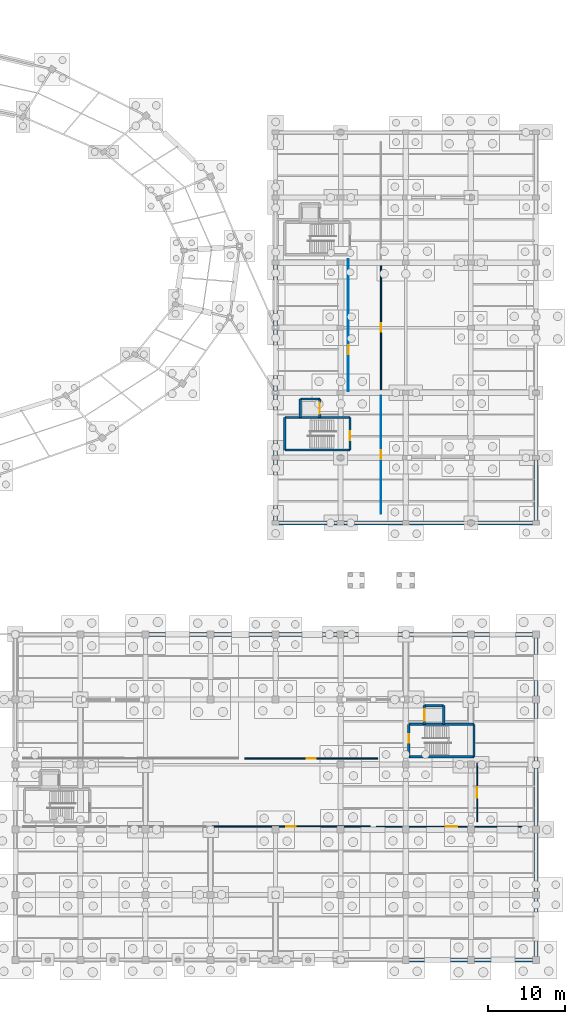
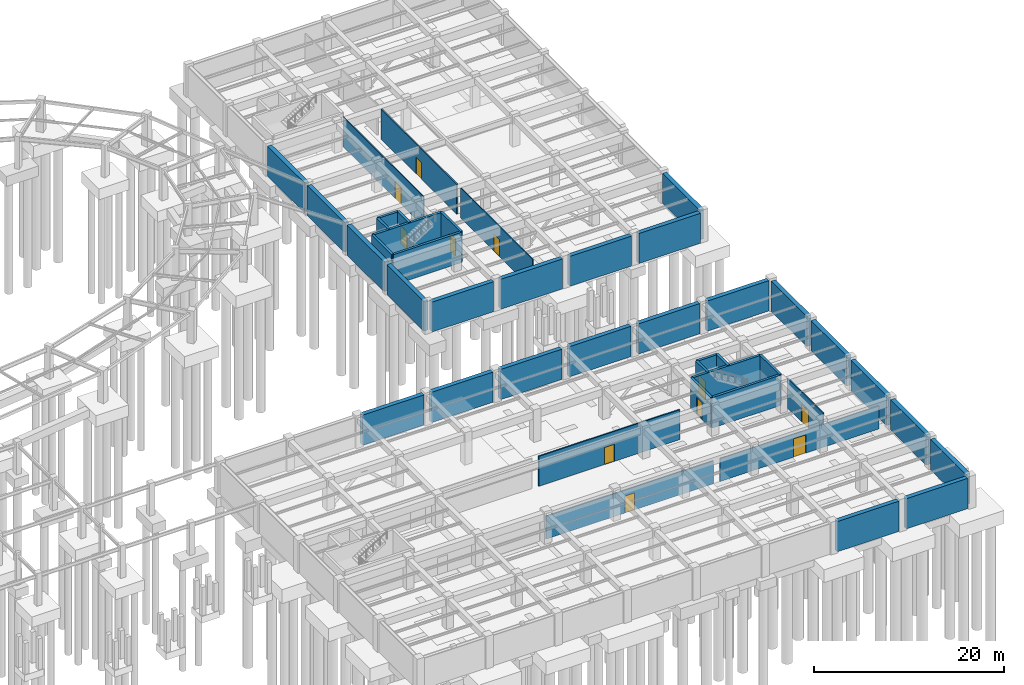
# One storey, part 29 of 38: 43 walls, 11 doors, 11 openings.
"""IFC4 building model written with IfcOpenShell, lengths in metres."""

from ifc_helpers import new_model, si_unit, direction, frame, frame_2d, origin, place, context, subcontext, project, spatial, rectangle, extrude, material, layer, layer_set, type_object, element, fill, save


model = new_model("IFC4")

# Units and contexts
model_context = context("Model", 3, precision=1e-05, world=origin(), true_north=direction((0.0, 1.0)))
body_context = subcontext(model_context, "Body", "Model", "MODEL_VIEW")
ifc_project = project(units=[si_unit("LENGTHUNIT", "METRE"), si_unit("AREAUNIT", "SQUARE_METRE"), si_unit("VOLUMEUNIT", "CUBIC_METRE"), si_unit("PLANEANGLEUNIT", "RADIAN"), si_unit("MASSUNIT", "GRAM", prefix="KILO"), si_unit("THERMODYNAMICTEMPERATUREUNIT", "KELVIN"), si_unit("POWERUNIT", "WATT")], contexts=[model_context])

# Site, building, storey
site_placement = place(None, origin())
site = spatial("IfcSite", under=ifc_project, at=site_placement, CompositionType="ELEMENT")
building_placement = place(site_placement, origin())
building = spatial("IfcBuilding", under=site, at=building_placement, Name="Darbajah Civic Hall", CompositionType="ELEMENT")
storey_placement = place(building_placement, frame((0.0, 0.0, -4.199951171875)))
storey = spatial("IfcBuildingStorey", under=building, at=storey_placement, Name="B01", CompositionType="ELEMENT", Elevation=-4.199951171875)

# Walls
ifc_material_1 = material(Name="Concrete C45/55", Category="concrete")
ifc_layer_1 = layer(ifc_material_1, 0.52001953125, Name="Concrete C45/55")
ifc_layer_set_1 = layer_set([ifc_layer_1], Name="Concrete C45/55")
wall_type_1 = type_object("IfcWallType", Name="Basement Perimeter Wall 520mm", PredefinedType="SOLIDWALL", material=ifc_layer_set_1)
wall_1_placement = place(storey_placement, frame((161.85205078125, 0.0, 0.0), z_axis=(0.0, 0.0, 1.0), x_axis=(1.0, 0.0, 0.0)))
element("IfcWall", 1, at=wall_1_placement, inside=storey, type_object=wall_type_1, Name="B01 exterior wall RW-520", PredefinedType="SOLIDWALL", context=body_context, shape_type="SweptSolid", body=[
    extrude(rectangle(XDim=7.495849609375, YDim=0.52001953125, at=frame_2d((3.748046875, 0.0))), origin(), (0.0, 0.0, 1.0), 3.89990234375),
])
for number, where, z_axis, x_axis, name in (
    (2, (170.251953125, 0.0, 0.0), (0.0, 0.0, 1.0), (1.0, 0.0, 0.0), "B01 exterior wall RW-520"),
    (3, (178.199951171875, 0.451904296875, 0.0), (0.0, 0.0, 1.0), (0.0, 1.0, 0.0), "B01 exterior wall RW-520"),
):
    element("IfcWall", number, at=place(storey_placement, frame(where, z_axis=z_axis, x_axis=x_axis)), inside=storey, type_object=wall_type_1, Name=name, PredefinedType="SOLIDWALL", context=body_context, shape_type="SweptSolid", body=[
        extrude(rectangle(XDim=7.49609375, YDim=0.52001953125, at=frame_2d((3.748046875, 0.0))), origin(), (0.0, 0.0, 1.0), 3.89990234375),
    ])
wall_2_placement = place(storey_placement, frame((178.199951171875, 8.85205078125, 0.0), z_axis=(0.0, 0.0, 1.0), x_axis=(0.0, 1.0, 0.0)))
element("IfcWall", 4, at=wall_2_placement, inside=storey, type_object=wall_type_1, Name="B01 exterior wall RW-520", PredefinedType="SOLIDWALL", context=body_context, shape_type="SweptSolid", body=[
    extrude(rectangle(XDim=7.495849609375, YDim=0.52001953125, at=frame_2d((3.748046875, 0.0))), origin(), (0.0, 0.0, 1.0), 3.89990234375),
])
wall_3_placement = place(storey_placement, frame((178.199951171875, 17.251953125, 0.0), z_axis=(0.0, 0.0, 1.0), x_axis=(0.0, 1.0, 0.0)))
element("IfcWall", 5, at=wall_3_placement, inside=storey, type_object=wall_type_1, Name="B01 exterior wall RW-520", PredefinedType="SOLIDWALL", context=body_context, shape_type="SweptSolid", body=[
    extrude(rectangle(XDim=7.49609375, YDim=0.52001953125, at=frame_2d((3.748046875, 0.0))), origin(), (0.0, 0.0, 1.0), 3.89990234375),
])
wall_4_placement = place(storey_placement, frame((178.199951171875, 25.652099609375, 0.0), z_axis=(0.0, 0.0, 1.0), x_axis=(0.0, 1.0, 0.0)))
element("IfcWall", 6, at=wall_4_placement, inside=storey, type_object=wall_type_1, Name="B01 exterior wall RW-520", PredefinedType="SOLIDWALL", context=body_context, shape_type="SweptSolid", body=[
    extrude(rectangle(XDim=7.495849609375, YDim=0.52001953125, at=frame_2d((3.748046875, 0.0))), origin(), (0.0, 0.0, 1.0), 3.89990234375),
])
for number, where, z_axis, x_axis, name in (
    (7, (178.199951171875, 34.052001953125, 0.0), (0.0, 0.0, 1.0), (0.0, 1.0, 0.0), "B01 exterior wall RW-520"),
    (8, (177.748046875, 42.0, 0.0), (0.0, 0.0, 1.0), (-1.0, 0.0, 0.0), "B01 exterior wall RW-520"),
):
    element("IfcWall", number, at=place(storey_placement, frame(where, z_axis=z_axis, x_axis=x_axis)), inside=storey, type_object=wall_type_1, Name=name, PredefinedType="SOLIDWALL", context=body_context, shape_type="SweptSolid", body=[
        extrude(rectangle(XDim=7.49609375, YDim=0.52001953125, at=frame_2d((3.748046875, 0.0))), origin(), (0.0, 0.0, 1.0), 3.89990234375),
    ])
wall_5_placement = place(storey_placement, frame((169.347900390625, 42.0, 0.0), z_axis=(0.0, 0.0, 1.0), x_axis=(-1.0, 0.0, 0.0)))
element("IfcWall", 9, at=wall_5_placement, inside=storey, type_object=wall_type_1, Name="B01 exterior wall RW-520", PredefinedType="SOLIDWALL", context=body_context, shape_type="SweptSolid", body=[
    extrude(rectangle(XDim=7.495849609375, YDim=0.52001953125, at=frame_2d((3.748046875, 0.0))), origin(), (0.0, 0.0, 1.0), 3.89990234375),
])
for number, where, z_axis, x_axis, name in (
    (10, (160.947998046875, 42.0, 0.0), (0.0, 0.0, 1.0), (-1.0, 0.0, 0.0), "B01 exterior wall RW-520"),
    (11, (152.548095703125, 42.0, 0.0), (0.0, 0.0, 1.0), (-1.0, 0.0, 0.0), "B01 exterior wall RW-520"),
):
    element("IfcWall", number, at=place(storey_placement, frame(where, z_axis=z_axis, x_axis=x_axis)), inside=storey, type_object=wall_type_1, Name=name, PredefinedType="SOLIDWALL", context=body_context, shape_type="SweptSolid", body=[
        extrude(rectangle(XDim=7.49609375, YDim=0.52001953125, at=frame_2d((3.748046875, 0.0))), origin(), (0.0, 0.0, 1.0), 3.89990234375),
    ])
wall_6_placement = place(storey_placement, frame((144.14794921875, 42.0, 0.0), z_axis=(0.0, 0.0, 1.0), x_axis=(-1.0, 0.0, 0.0)))
element("IfcWall", 12, at=wall_6_placement, inside=storey, type_object=wall_type_1, Name="B01 exterior wall RW-520", PredefinedType="SOLIDWALL", context=body_context, shape_type="SweptSolid", body=[
    extrude(rectangle(XDim=7.495849609375, YDim=0.52001953125, at=frame_2d((3.748046875, 0.0))), origin(), (0.0, 0.0, 1.0), 3.89990234375),
])
wall_7_placement = place(storey_placement, frame((135.748046875, 42.0, 0.0), z_axis=(0.0, 0.0, 1.0), x_axis=(-1.0, 0.0, 0.0)))
element("IfcWall", 13, at=wall_7_placement, inside=storey, type_object=wall_type_1, Name="B01 exterior wall RW-520", PredefinedType="SOLIDWALL", context=body_context, shape_type="SweptSolid", body=[
    extrude(rectangle(XDim=7.49609375, YDim=0.52001953125, at=frame_2d((3.748046875, 0.0))), origin(), (0.0, 0.0, 1.0), 3.89990234375),
])
for number, where, z_axis, x_axis, name in (
    (14, (145.052001953125, 56.39990234375, 0.0), (0.0, 0.0, 1.0), (1.0, 0.0, 0.0), "B01 exterior wall RW-520"),
    (15, (153.451904296875, 56.39990234375, 0.0), (0.0, 0.0, 1.0), (1.0, 0.0, 0.0), "B01 exterior wall RW-520"),
):
    element("IfcWall", number, at=place(storey_placement, frame(where, z_axis=z_axis, x_axis=x_axis)), inside=storey, type_object=wall_type_1, Name=name, PredefinedType="SOLIDWALL", context=body_context, shape_type="SweptSolid", body=[
        extrude(rectangle(XDim=7.49609375, YDim=0.52001953125, at=frame_2d((3.748046875, 0.0))), origin(), (0.0, 0.0, 1.0), 3.85986328125),
    ])
wall_8_placement = place(storey_placement, frame((161.85205078125, 56.39990234375, 0.0), z_axis=(0.0, 0.0, 1.0), x_axis=(1.0, 0.0, 0.0)))
element("IfcWall", 16, at=wall_8_placement, inside=storey, type_object=wall_type_1, Name="B01 exterior wall RW-520", PredefinedType="SOLIDWALL", context=body_context, shape_type="SweptSolid", body=[
    extrude(rectangle(XDim=7.495849609375, YDim=0.52001953125, at=frame_2d((3.748046875, 0.0))), origin(), (0.0, 0.0, 1.0), 3.85986328125),
])
wall_9_placement = place(storey_placement, frame((170.251953125, 56.39990234375, 0.0), z_axis=(0.0, 0.0, 1.0), x_axis=(1.0, 0.0, 0.0)))
element("IfcWall", 17, at=wall_9_placement, inside=storey, type_object=wall_type_1, Name="B01 exterior wall RW-520", PredefinedType="SOLIDWALL", context=body_context, shape_type="SweptSolid", body=[
    extrude(rectangle(XDim=7.49609375, YDim=0.52001953125, at=frame_2d((3.748046875, 0.0))), origin(), (0.0, 0.0, 1.0), 3.85986328125),
])
wall_10_placement = place(storey_placement, frame((178.199951171875, 56.701904296875, 0.0), z_axis=(0.0, 0.0, 1.0), x_axis=(0.0, 1.0, 0.0)))
element("IfcWall", 18, at=wall_10_placement, inside=storey, type_object=wall_type_1, Name="B01 exterior wall RW-520", PredefinedType="SOLIDWALL", context=body_context, shape_type="SweptSolid", body=[
    extrude(rectangle(XDim=7.796142578125, YDim=0.52001953125, at=frame_2d((3.89794921875, 0.0))), origin(), (0.0, 0.0, 1.0), 3.85986328125),
])
wall_11_placement = place(storey_placement, frame((144.60009765625, 89.697998046875, 0.0), z_axis=(0.0, 0.0, 1.0), x_axis=(0.0, -1.0, 0.0)))
element("IfcWall", 19, at=wall_11_placement, inside=storey, type_object=wall_type_1, Name="B01 exterior wall RW-520", PredefinedType="SOLIDWALL", context=body_context, shape_type="SweptSolid", body=[
    extrude(rectangle(XDim=7.7958984375, YDim=0.52001953125, at=frame_2d((3.89794921875, 0.0))), origin(), (0.0, 0.0, 1.0), 3.85986328125),
])
wall_12_placement = place(storey_placement, frame((144.60009765625, 81.298095703125, 0.0), z_axis=(0.0, 0.0, 1.0), x_axis=(0.0, -1.0, 0.0)))
element("IfcWall", 20, at=wall_12_placement, inside=storey, type_object=wall_type_1, Name="B01 exterior wall RW-520", PredefinedType="SOLIDWALL", context=body_context, shape_type="SweptSolid", body=[
    extrude(rectangle(XDim=7.796142578125, YDim=0.52001953125, at=frame_2d((3.89794921875, 0.0))), origin(), (0.0, 0.0, 1.0), 3.85986328125),
])
wall_13_placement = place(storey_placement, frame((144.60009765625, 72.89794921875, 0.0), z_axis=(0.0, 0.0, 1.0), x_axis=(0.0, -1.0, 0.0)))
element("IfcWall", 21, at=wall_13_placement, inside=storey, type_object=wall_type_1, Name="B01 exterior wall RW-520", PredefinedType="SOLIDWALL", context=body_context, shape_type="SweptSolid", body=[
    extrude(rectangle(XDim=7.7958984375, YDim=0.52001953125, at=frame_2d((3.89794921875, 0.0))), origin(), (0.0, 0.0, 1.0), 3.85986328125),
])
wall_14_placement = place(storey_placement, frame((144.60009765625, 64.498046875, 0.0), z_axis=(0.0, 0.0, 1.0), x_axis=(0.0, -1.0, 0.0)))
element("IfcWall", 22, at=wall_14_placement, inside=storey, type_object=wall_type_1, Name="B01 exterior wall RW-520", PredefinedType="SOLIDWALL", context=body_context, shape_type="SweptSolid", body=[
    extrude(rectangle(XDim=7.796142578125, YDim=0.52001953125, at=frame_2d((3.89794921875, 0.0))), origin(), (0.0, 0.0, 1.0), 3.85986328125),
])
ifc_layer_2 = layer(ifc_material_1, 0.300048828125, Name="Concrete C45/55")
ifc_layer_set_2 = layer_set([ifc_layer_2], Name="Concrete C45/55")
wall_type_2 = type_object("IfcWallType", Name="Core Shear Wall 300mm", PredefinedType="SHEAR", material=ifc_layer_set_2)
wall_15_placement = place(storey_placement, frame((161.800048828125, 26.199951171875, 0.0), z_axis=(0.0, 0.0, 1.0), x_axis=(1.0, 0.0, 0.0)))
element("IfcWall", 23, at=wall_15_placement, inside=storey, type_object=wall_type_2, Name="B01 core C07 shear wall S", PredefinedType="SHEAR", context=body_context, shape_type="SweptSolid", body=[
    extrude(rectangle(XDim=8.39990234375, YDim=0.300048828125, at=frame_2d((4.199951171875, 0.0))), origin(), (0.0, 0.0, 1.0), 3.919921875),
])
wall_16_placement = place(storey_placement, frame((170.199951171875, 26.199951171875, 0.0), z_axis=(0.0, 0.0, 1.0), x_axis=(0.0, 1.0, 0.0)))
element("IfcWall", 24, at=wall_16_placement, inside=storey, type_object=wall_type_2, Name="B01 core C07 shear wall E", PredefinedType="SHEAR", context=body_context, shape_type="SweptSolid", body=[
    extrude(rectangle(XDim=4.199951171875, YDim=0.300048828125, at=frame_2d((2.10009765625, 0.0))), origin(), (0.0, 0.0, 1.0), 3.919921875),
])
wall_17_placement = place(storey_placement, frame((170.199951171875, 30.39990234375, 0.0), z_axis=(0.0, 0.0, 1.0), x_axis=(-1.0, 0.0, 0.0)))
element("IfcWall", 25, at=wall_17_placement, inside=storey, type_object=wall_type_2, Name="B01 core C07 shear wall N", PredefinedType="SHEAR", context=body_context, shape_type="SweptSolid", body=[
    extrude(rectangle(XDim=8.39990234375, YDim=0.300048828125, at=frame_2d((4.199951171875, 0.0))), origin(), (0.0, 0.0, 1.0), 3.919921875),
])

# Wall, opening, door
wall_18_placement = place(storey_placement, frame((161.800048828125, 30.39990234375, 0.0), z_axis=(0.0, 0.0, 1.0), x_axis=(0.0, -1.0, 0.0)))
wall_18 = element("IfcWall", 26, at=wall_18_placement, inside=storey, type_object=wall_type_2, Name="B01 core C07 shear wall W", PredefinedType="SHEAR", context=body_context, shape_type="SweptSolid", body=[
    extrude(rectangle(XDim=4.199951171875, YDim=0.300048828125, at=frame_2d((2.10009765625, 0.0))), origin(), (0.0, 0.0, 1.0), 3.919921875),
])
opening_1_placement = place(wall_18_placement, frame((1.25, 0.0, 0.0)))
opening_1 = element("IfcOpeningElement", 27, at=opening_1_placement, cuts=wall_18, Name="Opening SD-0080", PredefinedType="OPENING", context=body_context, shape_type="SweptSolid", body=[
    extrude(rectangle(XDim=1.14990234375, YDim=2.199951171875, at=frame_2d((0.574951171875, 1.10009765625))), frame((0.0, 0.159912109375, 0.0), z_axis=(0.0, -1.0, 0.0), x_axis=(1.0, 0.0, 0.0)), (0.0, 0.0, 1.0), 0.320068359375),
])
ifc_material_2 = material(Name="Steel Rated Core Door", Category="steel")
door_type_1 = type_object("IfcDoorType", Name="Interior Door 1150x2200", OperationType="NOTDEFINED", PredefinedType="DOOR", material=ifc_material_2)
door_1_placement = place(opening_1_placement, origin())
door_1 = element("IfcDoor", 28, at=door_1_placement, inside=storey, type_object=door_type_1, Name="B01 stair ST07 fire door SD-0080", OperationType="SINGLE_SWING_LEFT", OverallHeight=2.199951171875, OverallWidth=1.14990234375, PredefinedType="DOOR", context=body_context, shape_type="SweptSolid", body=[
    extrude(rectangle(XDim=1.14990234375, YDim=2.199951171875, at=frame_2d((0.574951171875, 1.10009765625))), frame((0.0, 0.02490234375, 0.0), z_axis=(0.0, -1.0, 0.0), x_axis=(1.0, 0.0, 0.0)), (0.0, 0.0, 1.0), 0.050048828125),
])
fill(opening_1, door_1)

# Wall
wall_19_placement = place(storey_placement, frame((166.300048828125, 32.800048828125, 0.0), z_axis=(0.0, 0.0, 1.0), x_axis=(-1.0, 0.0, 0.0)))
element("IfcWall", 29, at=wall_19_placement, inside=storey, type_object=wall_type_2, Name="B01 lift GL1 shaft wall N", PredefinedType="SHEAR", context=body_context, shape_type="SweptSolid", body=[
    extrude(rectangle(XDim=2.5, YDim=0.300048828125, at=frame_2d((1.25, 0.0))), origin(), (0.0, 0.0, 1.0), 3.919921875),
])

# Wall, opening, door
wall_20_placement = place(storey_placement, frame((163.800048828125, 32.800048828125, 0.0), z_axis=(0.0, 0.0, 1.0), x_axis=(0.0, -1.0, 0.0)))
wall_20 = element("IfcWall", 30, at=wall_20_placement, inside=storey, type_object=wall_type_2, Name="B01 lift GL1 shaft wall W", PredefinedType="SHEAR", context=body_context, shape_type="SweptSolid", body=[
    extrude(rectangle(XDim=2.400146484375, YDim=0.300048828125, at=frame_2d((1.2001953125, 0.0))), origin(), (0.0, 0.0, 1.0), 3.919921875),
])
opening_2_placement = place(wall_20_placement, frame((0.47509765625, 0.0, 0.0)))
opening_2 = element("IfcOpeningElement", 31, at=opening_2_placement, cuts=wall_20, Name="Opening LD-0084", PredefinedType="OPENING", context=body_context, shape_type="SweptSolid", body=[
    extrude(rectangle(XDim=1.449951171875, YDim=2.35009765625, at=frame_2d((0.72509765625, 1.175048828125))), frame((0.0, 0.159912109375, 0.0), z_axis=(0.0, -1.0, 0.0), x_axis=(1.0, 0.0, 0.0)), (0.0, 0.0, 1.0), 0.320068359375),
])
ifc_material_3 = material(Name="Goods Lift Landing Door")
door_type_2 = type_object("IfcDoorType", Name="Lift Landing Door 1450x2350", OperationType="SLIDING_TO_LEFT", PredefinedType="DOOR", material=ifc_material_3)
door_2_placement = place(opening_2_placement, origin())
door_2 = element("IfcDoor", 32, at=door_2_placement, inside=storey, type_object=door_type_2, Name="B01 lift GL1 landing door LD-0084", OperationType="SLIDING_TO_LEFT", OverallHeight=2.35009765625, OverallWidth=1.449951171875, PredefinedType="DOOR", context=body_context, shape_type="SweptSolid", body=[
    extrude(rectangle(XDim=1.449951171875, YDim=2.35009765625, at=frame_2d((0.72509765625, 1.175048828125))), frame((0.0, 0.02490234375, 0.0), z_axis=(0.0, -1.0, 0.0), x_axis=(1.0, 0.0, 0.0)), (0.0, 0.0, 1.0), 0.050048828125),
])
fill(opening_2, door_2)

# Walls
wall_21_placement = place(storey_placement, frame((166.300048828125, 30.39990234375, 0.0), z_axis=(0.0, 0.0, 1.0), x_axis=(0.0, 1.0, 0.0)))
element("IfcWall", 33, at=wall_21_placement, inside=storey, type_object=wall_type_2, Name="B01 lift GL1 shaft wall E", PredefinedType="SHEAR", context=body_context, shape_type="SweptSolid", body=[
    extrude(rectangle(XDim=2.400146484375, YDim=0.300048828125, at=frame_2d((1.2001953125, 0.0))), origin(), (0.0, 0.0, 1.0), 3.919921875),
])
wall_22_placement = place(storey_placement, frame((145.800048828125, 65.800048828125, 0.0), z_axis=(0.0, 0.0, 1.0), x_axis=(1.0, 0.0, 0.0)))
element("IfcWall", 34, at=wall_22_placement, inside=storey, type_object=wall_type_2, Name="B01 core C09 shear wall S", PredefinedType="SHEAR", context=body_context, shape_type="SweptSolid", body=[
    extrude(rectangle(XDim=8.39990234375, YDim=0.300048828125, at=frame_2d((4.199951171875, 0.0))), origin(), (0.0, 0.0, 1.0), 3.919921875),
])

# Wall, opening, door
wall_23_placement = place(storey_placement, frame((154.199951171875, 65.800048828125, 0.0), z_axis=(0.0, 0.0, 1.0), x_axis=(0.0, 1.0, 0.0)))
wall_23 = element("IfcWall", 35, at=wall_23_placement, inside=storey, type_object=wall_type_2, Name="B01 core C09 shear wall E", PredefinedType="SHEAR", context=body_context, shape_type="SweptSolid", body=[
    extrude(rectangle(XDim=4.199951171875, YDim=0.300048828125, at=frame_2d((2.10009765625, 0.0))), origin(), (0.0, 0.0, 1.0), 3.919921875),
])
opening_3_placement = place(wall_23_placement, frame((1.25, 0.0, 0.0)))
opening_3 = element("IfcOpeningElement", 36, at=opening_3_placement, cuts=wall_23, Name="Opening SD-0098", PredefinedType="OPENING", context=body_context, shape_type="SweptSolid", body=[
    extrude(rectangle(XDim=1.14990234375, YDim=2.199951171875, at=frame_2d((0.574951171875, 1.10009765625))), frame((0.0, 0.159912109375, 0.0), z_axis=(0.0, -1.0, 0.0), x_axis=(1.0, 0.0, 0.0)), (0.0, 0.0, 1.0), 0.320068359375),
])
door_3_placement = place(opening_3_placement, origin())
door_3 = element("IfcDoor", 37, at=door_3_placement, inside=storey, type_object=door_type_1, Name="B01 stair ST09 fire door SD-0098", OperationType="SINGLE_SWING_LEFT", OverallHeight=2.199951171875, OverallWidth=1.14990234375, PredefinedType="DOOR", context=body_context, shape_type="SweptSolid", body=[
    extrude(rectangle(XDim=1.14990234375, YDim=2.199951171875, at=frame_2d((0.574951171875, 1.10009765625))), frame((0.0, 0.02490234375, 0.0), z_axis=(0.0, -1.0, 0.0), x_axis=(1.0, 0.0, 0.0)), (0.0, 0.0, 1.0), 0.050048828125),
])
fill(opening_3, door_3)

# Walls
wall_24_placement = place(storey_placement, frame((154.199951171875, 70.0, 0.0), z_axis=(0.0, 0.0, 1.0), x_axis=(-1.0, 0.0, 0.0)))
element("IfcWall", 38, at=wall_24_placement, inside=storey, type_object=wall_type_2, Name="B01 core C09 shear wall N", PredefinedType="SHEAR", context=body_context, shape_type="SweptSolid", body=[
    extrude(rectangle(XDim=8.39990234375, YDim=0.300048828125, at=frame_2d((4.199951171875, 0.0))), origin(), (0.0, 0.0, 1.0), 3.919921875),
])
wall_25_placement = place(storey_placement, frame((145.800048828125, 70.0, 0.0), z_axis=(0.0, 0.0, 1.0), x_axis=(0.0, -1.0, 0.0)))
element("IfcWall", 39, at=wall_25_placement, inside=storey, type_object=wall_type_2, Name="B01 core C09 shear wall W", PredefinedType="SHEAR", context=body_context, shape_type="SweptSolid", body=[
    extrude(rectangle(XDim=4.199951171875, YDim=0.300048828125, at=frame_2d((2.10009765625, 0.0))), origin(), (0.0, 0.0, 1.0), 3.919921875),
])
wall_26_placement = place(storey_placement, frame((150.300048828125, 72.39990234375, 0.0), z_axis=(0.0, 0.0, 1.0), x_axis=(-1.0, 0.0, 0.0)))
element("IfcWall", 40, at=wall_26_placement, inside=storey, type_object=wall_type_2, Name="B01 lift BL1 shaft wall N", PredefinedType="SHEAR", context=body_context, shape_type="SweptSolid", body=[
    extrude(rectangle(XDim=2.5, YDim=0.300048828125, at=frame_2d((1.25, 0.0))), origin(), (0.0, 0.0, 1.0), 3.919921875),
])
wall_27_placement = place(storey_placement, frame((147.800048828125, 72.39990234375, 0.0), z_axis=(0.0, 0.0, 1.0), x_axis=(0.0, -1.0, 0.0)))
element("IfcWall", 41, at=wall_27_placement, inside=storey, type_object=wall_type_2, Name="B01 lift BL1 shaft wall W", PredefinedType="SHEAR", context=body_context, shape_type="SweptSolid", body=[
    extrude(rectangle(XDim=2.39990234375, YDim=0.300048828125, at=frame_2d((1.199951171875, 0.0))), origin(), (0.0, 0.0, 1.0), 3.919921875),
])

# Wall, opening, door
wall_28_placement = place(storey_placement, frame((150.300048828125, 70.0, 0.0), z_axis=(0.0, 0.0, 1.0), x_axis=(0.0, 1.0, 0.0)))
wall_28 = element("IfcWall", 42, at=wall_28_placement, inside=storey, type_object=wall_type_2, Name="B01 lift BL1 shaft wall E", PredefinedType="SHEAR", context=body_context, shape_type="SweptSolid", body=[
    extrude(rectangle(XDim=2.39990234375, YDim=0.300048828125, at=frame_2d((1.199951171875, 0.0))), origin(), (0.0, 0.0, 1.0), 3.919921875),
])
opening_4_placement = place(wall_28_placement, frame((0.47509765625, 0.0, 0.0)))
opening_4 = element("IfcOpeningElement", 43, at=opening_4_placement, cuts=wall_28, Name="Opening LD-0103", PredefinedType="OPENING", context=body_context, shape_type="SweptSolid", body=[
    extrude(rectangle(XDim=1.449951171875, YDim=2.35009765625, at=frame_2d((0.72509765625, 1.175048828125))), frame((0.0, 0.159912109375, 0.0), z_axis=(0.0, -1.0, 0.0), x_axis=(1.0, 0.0, 0.0)), (0.0, 0.0, 1.0), 0.320068359375),
])
door_4_placement = place(opening_4_placement, origin())
door_4 = element("IfcDoor", 44, at=door_4_placement, inside=storey, type_object=door_type_2, Name="B01 lift BL1 landing door LD-0103", OperationType="SLIDING_TO_LEFT", OverallHeight=2.35009765625, OverallWidth=1.449951171875, PredefinedType="DOOR", context=body_context, shape_type="SweptSolid", body=[
    extrude(rectangle(XDim=1.449951171875, YDim=2.35009765625, at=frame_2d((0.72509765625, 1.175048828125))), frame((0.0, 0.02490234375, 0.0), z_axis=(0.0, -1.0, 0.0), x_axis=(1.0, 0.0, 0.0)), (0.0, 0.0, 1.0), 0.050048828125),
])
fill(opening_4, door_4)

ifc_material_4 = material(Name="Acoustic Gypsum Partition")
ifc_layer_3 = layer(ifc_material_4, 0.114990234375, Name="Acoustic Gypsum Partition")
ifc_layer_set_3 = layer_set([ifc_layer_3], Name="Acoustic Gypsum Partition")
wall_type_3 = type_object("IfcWallType", Name="Interior Partition 115mm", PredefinedType="PARTITIONING", material=ifc_layer_set_3)
wall_29_placement = place(storey_placement, frame((158.199951171875, 57.60009765625, 0.0), z_axis=(0.0, 0.0, 1.0), x_axis=(0.0, 1.0, 0.0)))
wall_29 = element("IfcWall", 45, at=wall_29_placement, inside=storey, type_object=wall_type_3, Name="B01 interior partition B01-08", PredefinedType="PARTITIONING", context=body_context, shape_type="SweptSolid", body=[
    extrude(rectangle(XDim=15.199951171875, YDim=0.114990234375, at=frame_2d((7.60009765625, 0.0))), origin(), (0.0, 0.0, 1.0), 3.85986328125),
])
opening_5_placement = place(wall_29_placement, frame((7.0, 0.0, 0.0)))
opening_5 = element("IfcOpeningElement", 46, at=opening_5_placement, cuts=wall_29, Name="Opening D-0142", PredefinedType="OPENING", context=body_context, shape_type="SweptSolid", body=[
    extrude(rectangle(XDim=1.199951171875, YDim=2.199951171875, at=frame_2d((0.60009765625, 1.10009765625))), frame((0.0, 0.0673828125, 0.0), z_axis=(0.0, -1.0, 0.0), x_axis=(1.0, 0.0, 0.0)), (0.0, 0.0, 1.0), 0.135009765625),
])
ifc_material_5 = material(Name="Painted Hardwood Fire Door", Category="wood")
door_type_3 = type_object("IfcDoorType", Name="Interior Door 1200x2200", OperationType="NOTDEFINED", PredefinedType="DOOR", material=ifc_material_5)
door_5_placement = place(opening_5_placement, origin())
door_5 = element("IfcDoor", 47, at=door_5_placement, inside=storey, type_object=door_type_3, Name="B01 B01-08 door D-0142", OperationType="SINGLE_SWING_LEFT", OverallHeight=2.199951171875, OverallWidth=1.199951171875, PredefinedType="DOOR", context=body_context, shape_type="SweptSolid", body=[
    extrude(rectangle(XDim=1.199951171875, YDim=2.199951171875, at=frame_2d((0.60009765625, 1.10009765625))), frame((0.0, 0.02490234375, 0.0), z_axis=(0.0, -1.0, 0.0), x_axis=(1.0, 0.0, 0.0)), (0.0, 0.0, 1.0), 0.050048828125),
])
fill(opening_5, door_5)

wall_30_placement = place(storey_placement, frame((154.0, 73.39990234375, 0.0), z_axis=(0.0, 0.0, 1.0), x_axis=(0.0, 1.0, 0.0)))
wall_30 = element("IfcWall", 48, at=wall_30_placement, inside=storey, type_object=wall_type_3, Name="B01 interior partition B01-11", PredefinedType="PARTITIONING", context=body_context, shape_type="SweptSolid", body=[
    extrude(rectangle(XDim=17.0, YDim=0.114990234375, at=frame_2d((8.5, 0.0))), origin(), (0.0, 0.0, 1.0), 3.85986328125),
])
opening_6_placement = place(wall_30_placement, frame((4.739990234375, 0.0, 0.0)))
opening_6 = element("IfcOpeningElement", 49, at=opening_6_placement, cuts=wall_30, Name="Opening D-0145", PredefinedType="OPENING", context=body_context, shape_type="SweptSolid", body=[
    extrude(rectangle(XDim=1.199951171875, YDim=2.199951171875, at=frame_2d((0.60009765625, 1.10009765625))), frame((0.0, 0.0673828125, 0.0), z_axis=(0.0, -1.0, 0.0), x_axis=(1.0, 0.0, 0.0)), (0.0, 0.0, 1.0), 0.135009765625),
])
door_6_placement = place(opening_6_placement, origin())
door_6 = element("IfcDoor", 50, at=door_6_placement, inside=storey, type_object=door_type_3, Name="B01 B01-11 door D-0145", OperationType="SINGLE_SWING_RIGHT", OverallHeight=2.199951171875, OverallWidth=1.199951171875, PredefinedType="DOOR", context=body_context, shape_type="SweptSolid", body=[
    extrude(rectangle(XDim=1.199951171875, YDim=2.199951171875, at=frame_2d((0.60009765625, 1.10009765625))), frame((0.0, 0.02490234375, 0.0), z_axis=(0.0, -1.0, 0.0), x_axis=(1.0, 0.0, 0.0)), (0.0, 0.0, 1.0), 0.050048828125),
])
fill(opening_6, door_6)

ifc_material_6 = material(Name="Gypsum Plasterboard on Steel Stud", Category="steel")
ifc_layer_4 = layer(ifc_material_6, 0.135009765625, Name="Gypsum Plasterboard on Steel Stud")
ifc_layer_set_4 = layer_set([ifc_layer_4], Name="Gypsum Plasterboard on Steel Stud")
wall_type_4 = type_object("IfcWallType", Name="Interior Partition 135mm", PredefinedType="PARTITIONING", material=ifc_layer_set_4)
wall_31_placement = place(storey_placement, frame((157.60009765625, 17.199951171875, 0.0), z_axis=(0.0, 0.0, 1.0), x_axis=(1.0, 0.0, 0.0)))
wall_31 = element("IfcWall", 51, at=wall_31_placement, inside=storey, type_object=wall_type_4, Name="B01 interior partition B01-04", PredefinedType="PARTITIONING", context=body_context, shape_type="SweptSolid", body=[
    extrude(rectangle(XDim=19.39990234375, YDim=0.135009765625, at=frame_2d((9.699951171875, 0.0))), origin(), (0.0, 0.0, 1.0), 2.949951171875),
])
opening_7_placement = place(wall_31_placement, frame((8.949951171875, 0.0, 0.0)))
opening_7 = element("IfcOpeningElement", 52, at=opening_7_placement, cuts=wall_31, Name="Opening D-0138", PredefinedType="OPENING", context=body_context, shape_type="SweptSolid", body=[
    extrude(rectangle(XDim=1.5, YDim=2.35009765625, at=frame_2d((0.75, 1.175048828125))), frame((0.0, 0.077392578125, 0.0), z_axis=(0.0, -1.0, 0.0), x_axis=(1.0, 0.0, 0.0)), (0.0, 0.0, 1.0), 0.155029296875),
])
ifc_material_7 = material(Name="Committee Chamber Double Door")
door_type_4 = type_object("IfcDoorType", Name="Interior Door 1500x2350", OperationType="NOTDEFINED", PredefinedType="DOOR", material=ifc_material_7)
door_7_placement = place(opening_7_placement, origin())
door_7 = element("IfcDoor", 53, at=door_7_placement, inside=storey, type_object=door_type_4, Name="B01 B01-04 door D-0138", OperationType="DOUBLE_DOOR_SINGLE_SWING", OverallHeight=2.35009765625, OverallWidth=1.5, PredefinedType="DOOR", context=body_context, shape_type="SweptSolid", body=[
    extrude(rectangle(XDim=1.5, YDim=2.35009765625, at=frame_2d((0.75, 1.175048828125))), frame((0.0, 0.02490234375, 0.0), z_axis=(0.0, -1.0, 0.0), x_axis=(1.0, 0.0, 0.0)), (0.0, 0.0, 1.0), 0.050048828125),
])
fill(opening_7, door_7)

wall_32_placement = place(storey_placement, frame((170.60009765625, 17.800048828125, 0.0), z_axis=(0.0, 0.0, 1.0), x_axis=(0.0, 1.0, 0.0)))
wall_32 = element("IfcWall", 54, at=wall_32_placement, inside=storey, type_object=wall_type_4, Name="B01 interior partition B01-07", PredefinedType="PARTITIONING", context=body_context, shape_type="SweptSolid", body=[
    extrude(rectangle(XDim=7.599853515625, YDim=0.135009765625, at=frame_2d((3.7998046875, 0.0))), origin(), (0.0, 0.0, 1.0), 3.85986328125),
])
opening_8_placement = place(wall_32_placement, frame((3.10009765625, 0.0, 0.0)))
opening_8 = element("IfcOpeningElement", 55, at=opening_8_placement, cuts=wall_32, Name="Opening D-0141", PredefinedType="OPENING", context=body_context, shape_type="SweptSolid", body=[
    extrude(rectangle(XDim=1.39990234375, YDim=2.25, at=frame_2d((0.699951171875, 1.125))), frame((0.0, 0.077392578125, 0.0), z_axis=(0.0, -1.0, 0.0), x_axis=(1.0, 0.0, 0.0)), (0.0, 0.0, 1.0), 0.155029296875),
])
door_type_5 = type_object("IfcDoorType", Name="Interior Door 1400x2250", OperationType="NOTDEFINED", PredefinedType="DOOR", material=ifc_material_5)
door_8_placement = place(opening_8_placement, origin())
door_8 = element("IfcDoor", 56, at=door_8_placement, inside=storey, type_object=door_type_5, Name="B01 B01-07 door D-0141", OperationType="SINGLE_SWING_RIGHT", OverallHeight=2.25, OverallWidth=1.39990234375, PredefinedType="DOOR", context=body_context, shape_type="SweptSolid", body=[
    extrude(rectangle(XDim=1.39990234375, YDim=2.25, at=frame_2d((0.699951171875, 1.125))), frame((0.0, 0.02490234375, 0.0), z_axis=(0.0, -1.0, 0.0), x_axis=(1.0, 0.0, 0.0)), (0.0, 0.0, 1.0), 0.050048828125),
])
fill(opening_8, door_8)

ifc_layer_5 = layer(ifc_material_6, 0.159912109375, Name="Gypsum Plasterboard on Steel Stud")
ifc_layer_set_5 = layer_set([ifc_layer_5], Name="Gypsum Plasterboard on Steel Stud")
wall_type_5 = type_object("IfcWallType", Name="Interior Partition 160mm", PredefinedType="PARTITIONING", material=ifc_layer_set_5)
wall_33_placement = place(storey_placement, frame((136.39990234375, 17.199951171875, 0.0), z_axis=(0.0, 0.0, 1.0), x_axis=(1.0, 0.0, 0.0)))
wall_33 = element("IfcWall", 57, at=wall_33_placement, inside=storey, type_object=wall_type_5, Name="B01 interior partition B01-03", PredefinedType="PARTITIONING", context=body_context, shape_type="SweptSolid", body=[
    extrude(rectangle(XDim=20.400146484375, YDim=0.159912109375, at=frame_2d((10.2001953125, 0.0))), origin(), (0.0, 0.0, 1.0), 2.949951171875),
])
opening_9_placement = place(wall_33_placement, frame((9.60009765625, 0.0, 0.0)))
opening_9 = element("IfcOpeningElement", 58, at=opening_9_placement, cuts=wall_33, Name="Opening D-0137", PredefinedType="OPENING", context=body_context, shape_type="SweptSolid", body=[
    extrude(rectangle(XDim=1.199951171875, YDim=2.199951171875, at=frame_2d((0.60009765625, 1.10009765625))), frame((0.0, 0.08984375, 0.0), z_axis=(0.0, -1.0, 0.0), x_axis=(1.0, 0.0, 0.0)), (0.0, 0.0, 1.0), 0.179931640625),
])
door_9_placement = place(opening_9_placement, origin())
door_9 = element("IfcDoor", 59, at=door_9_placement, inside=storey, type_object=door_type_3, Name="B01 B01-03 door D-0137", OperationType="SINGLE_SWING_RIGHT", OverallHeight=2.199951171875, OverallWidth=1.199951171875, PredefinedType="DOOR", context=body_context, shape_type="SweptSolid", body=[
    extrude(rectangle(XDim=1.199951171875, YDim=2.199951171875, at=frame_2d((0.60009765625, 1.10009765625))), frame((0.0, 0.02490234375, 0.0), z_axis=(0.0, -1.0, 0.0), x_axis=(1.0, 0.0, 0.0)), (0.0, 0.0, 1.0), 0.050048828125),
])
fill(opening_9, door_9)

wall_34_placement = place(storey_placement, frame((140.60009765625, 26.0, 0.0), z_axis=(0.0, 0.0, 1.0), x_axis=(1.0, 0.0, 0.0)))
wall_34 = element("IfcWall", 60, at=wall_34_placement, inside=storey, type_object=wall_type_5, Name="B01 interior partition B01-06", PredefinedType="PARTITIONING", context=body_context, shape_type="SweptSolid", body=[
    extrude(rectangle(XDim=17.199951171875, YDim=0.159912109375, at=frame_2d((8.60009765625, 0.0))), origin(), (0.0, 0.0, 1.0), 3.85986328125),
])
opening_10_placement = place(wall_34_placement, frame((8.0, 0.0, 0.0)))
opening_10 = element("IfcOpeningElement", 61, at=opening_10_placement, cuts=wall_34, Name="Opening D-0140", PredefinedType="OPENING", context=body_context, shape_type="SweptSolid", body=[
    extrude(rectangle(XDim=1.199951171875, YDim=2.199951171875, at=frame_2d((0.60009765625, 1.10009765625))), frame((0.0, 0.08984375, 0.0), z_axis=(0.0, -1.0, 0.0), x_axis=(1.0, 0.0, 0.0)), (0.0, 0.0, 1.0), 0.179931640625),
])
door_10_placement = place(opening_10_placement, origin())
door_10 = element("IfcDoor", 62, at=door_10_placement, inside=storey, type_object=door_type_3, Name="B01 B01-06 door D-0140", OperationType="SINGLE_SWING_LEFT", OverallHeight=2.199951171875, OverallWidth=1.199951171875, PredefinedType="DOOR", context=body_context, shape_type="SweptSolid", body=[
    extrude(rectangle(XDim=1.199951171875, YDim=2.199951171875, at=frame_2d((0.60009765625, 1.10009765625))), frame((0.0, 0.02490234375, 0.0), z_axis=(0.0, -1.0, 0.0), x_axis=(1.0, 0.0, 0.0)), (0.0, 0.0, 1.0), 0.050048828125),
])
fill(opening_10, door_10)

wall_35_placement = place(storey_placement, frame((158.199951171875, 73.60009765625, 0.0), z_axis=(0.0, 0.0, 1.0), x_axis=(0.0, 1.0, 0.0)))
wall_35 = element("IfcWall", 63, at=wall_35_placement, inside=storey, type_object=wall_type_5, Name="B01 interior partition B01-09", PredefinedType="PARTITIONING", context=body_context, shape_type="SweptSolid", body=[
    extrude(rectangle(XDim=16.0, YDim=0.159912109375, at=frame_2d((8.0, 0.0))), origin(), (0.0, 0.0, 1.0), 3.85986328125),
])
opening_11_placement = place(wall_35_placement, frame((7.449951171875, 0.0, 0.0)))
opening_11 = element("IfcOpeningElement", 64, at=opening_11_placement, cuts=wall_35, Name="Opening D-0143", PredefinedType="OPENING", context=body_context, shape_type="SweptSolid", body=[
    extrude(rectangle(XDim=1.10009765625, YDim=2.14990234375, at=frame_2d((0.550048828125, 1.074951171875))), frame((0.0, 0.08984375, 0.0), z_axis=(0.0, -1.0, 0.0), x_axis=(1.0, 0.0, 0.0)), (0.0, 0.0, 1.0), 0.179931640625),
])
ifc_material_8 = material(Name="Acoustic Oak Office Door")
door_type_6 = type_object("IfcDoorType", Name="Interior Door 1100x2150", OperationType="NOTDEFINED", PredefinedType="DOOR", material=ifc_material_8)
door_11_placement = place(opening_11_placement, origin())
door_11 = element("IfcDoor", 65, at=door_11_placement, inside=storey, type_object=door_type_6, Name="B01 B01-09 door D-0143", OperationType="SINGLE_SWING_RIGHT", OverallHeight=2.14990234375, OverallWidth=1.10009765625, PredefinedType="DOOR", context=body_context, shape_type="SweptSolid", body=[
    extrude(rectangle(XDim=1.10009765625, YDim=2.14990234375, at=frame_2d((0.550048828125, 1.074951171875))), frame((0.0, 0.02490234375, 0.0), z_axis=(0.0, -1.0, 0.0), x_axis=(1.0, 0.0, 0.0)), (0.0, 0.0, 1.0), 0.050048828125),
])
fill(opening_11, door_11)

save(model, "model.ifc")
